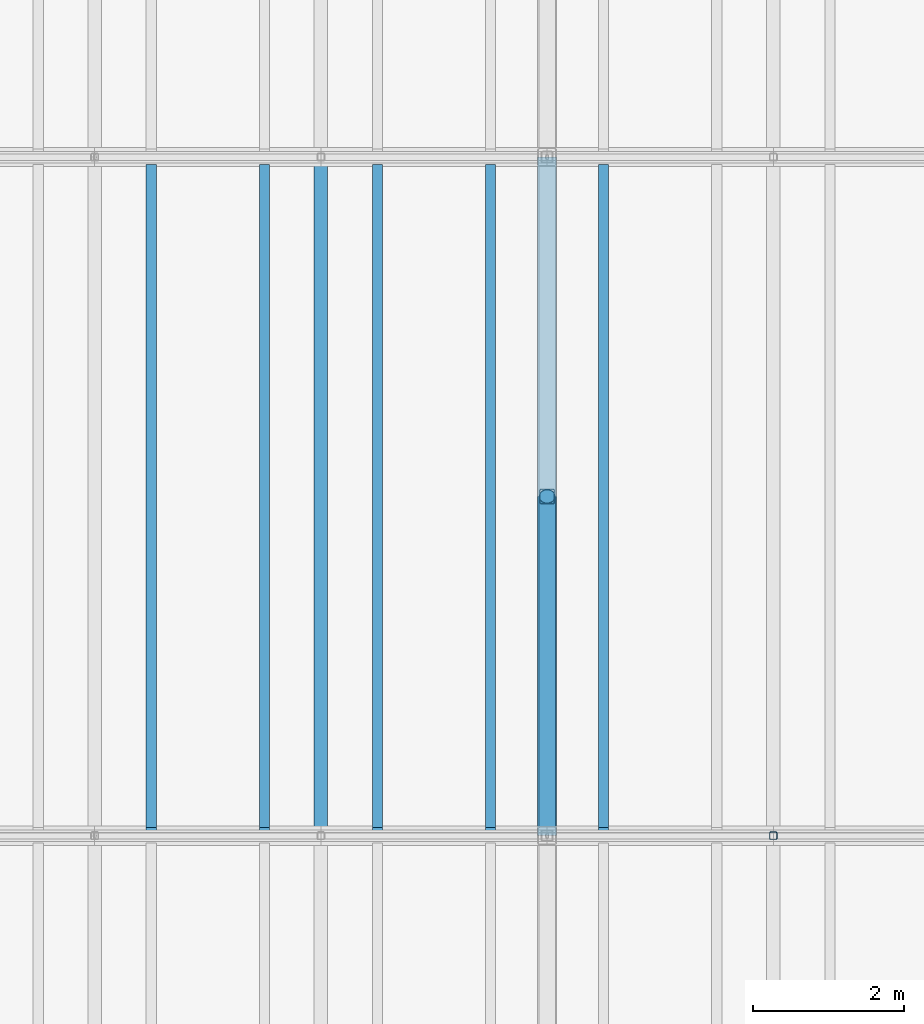
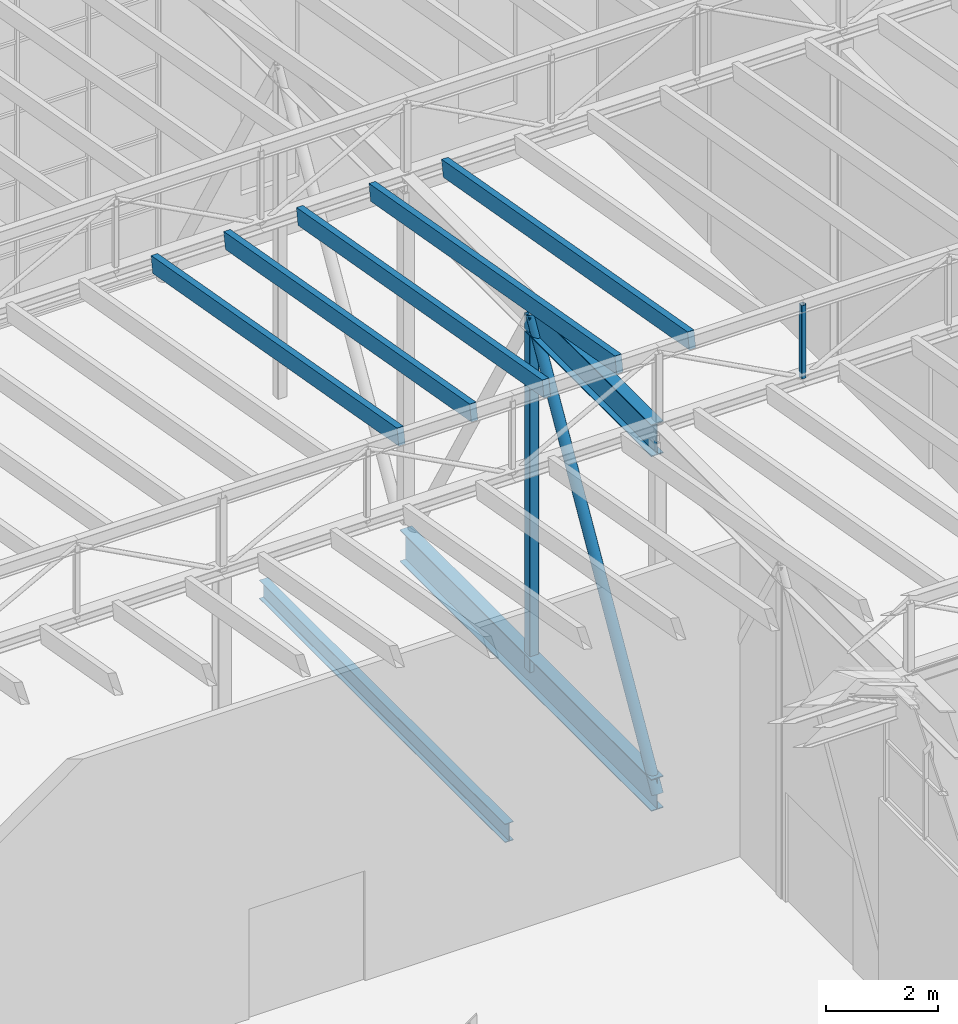
# One storey, part 35 of 90: 10 members, 1 beam.
"""IFC4 building model written with IfcOpenShell, lengths in metres."""

from ifc_helpers import new_model, si_unit, direction, frame, origin, origin_2d, place, context, subcontext, project, spatial, rectangle, hollow_rectangle, hollow_circle, i_section, extrude, material, material_profile, profile_set, type_object, element, save


model = new_model("IFC4")

# Units and contexts
model_context = context("Model", 3, precision=1e-05, world=origin(), true_north=direction((0.0, 1.0)))
body_context = subcontext(model_context, "Body", "Model", "MODEL_VIEW")
ifc_project = project(units=[si_unit("LENGTHUNIT", "METRE"), si_unit("AREAUNIT", "SQUARE_METRE"), si_unit("VOLUMEUNIT", "CUBIC_METRE"), si_unit("PLANEANGLEUNIT", "RADIAN"), si_unit("MASSUNIT", "GRAM", prefix="KILO")], contexts=[model_context])

# Site, building, storey
site_placement = place(None, origin())
site = spatial("IfcSite", under=ifc_project, at=site_placement, CompositionType="ELEMENT")
building_placement = place(site_placement, origin())
building = spatial("IfcBuilding", under=site, at=building_placement, Name="Halyard Row Museum", CompositionType="ELEMENT")
storey_placement = place(building_placement, frame((0.0, 0.0, 13.39990234375)))
storey = spatial("IfcBuildingStorey", under=building, at=storey_placement, Name="L03", CompositionType="ELEMENT", Elevation=13.39990234375)

# Members
ifc_material_1 = material(Name="Glulam GL12 radiata pine", Category="wood")
ifc_material_profile_1 = material_profile(ifc_material_1, rectangle(XDim=0.135009765625, YDim=0.360107421875, at=origin_2d()), Name="GL12 135x360")
ifc_profile_set_1 = profile_set([ifc_material_profile_1], Name="Glulam GL12 radiata pine")
member_type_1 = type_object("IfcMemberType", Name="Rafter GL12 135x360", PredefinedType="RAFTER", material=ifc_profile_set_1)
for number, where, z_axis, x_axis, name in (
    (1, (48.75, 27.074462890625, 9.083984375), (0.0, 0.984562193919, -0.175035100209), (-1.0, 0.0, 0.0), "Rafter V1-T2a.15"),
    (2, (50.25, 27.074462890625, 9.083984375), (0.0, 0.984562193919, -0.175035100209), (-1.0, 0.0, 0.0), "Rafter V1-T2a.16"),
    (3, (51.75, 27.074462890625, 9.083984375), (0.0, 0.984562193919, -0.175035100209), (-1.0, 0.0, 0.0), "Rafter V1-T2a.17"),
    (4, (53.25, 27.074462890625, 9.083984375), (0.0, 0.984562193919, -0.175035100209), (-1.0, 0.0, 0.0), "Rafter V1-T2a.18"),
    (5, (54.75, 27.074462890625, 9.083984375), (0.0, 0.984562193919, -0.175035100209), (-1.0, 0.0, 0.0), "Rafter V1-T2a.19"),
):
    element("IfcMember", number, at=place(storey_placement, frame(where, z_axis=z_axis, x_axis=x_axis)), inside=storey, type_object=member_type_1, Name=name, PredefinedType="RAFTER", context=body_context, shape_type="SweptSolid", body=[
        extrude(rectangle(XDim=0.135009765625, YDim=0.360107421875, at=origin_2d()), origin(), (0.0, 0.0, 1.0), 8.9365234375),
    ])

# Beam
ifc_material_2 = material(Name="Steel Grade 300", Category="steel")
ifc_material_profile_2 = material_profile(ifc_material_2, i_section(OverallWidth=0.177978515625, OverallDepth=0.406494140625, WebThickness=0.0078125, FlangeThickness=0.0126953125, FilletRadius=0.011474609375, at=origin_2d()), Name="410UB59.7")
ifc_profile_set_2 = profile_set([ifc_material_profile_2], Name="Steel Grade 300")
beam_type = type_object("IfcBeamType", Name="Secondary beam 410UB59.7", PredefinedType="BEAM", material=ifc_profile_set_2)
beam_placement = place(storey_placement, frame((51.0, 27.1044921875, -0.3681640625), z_axis=(0.0, 1.0, 0.0), x_axis=(-1.0, 0.0, 0.0)))
element("IfcBeam", 6, at=beam_placement, inside=storey, type_object=beam_type, Name="Beam L03-104", PredefinedType="BEAM", context=body_context, shape_type="SweptSolid", body=[
    extrude(i_section(OverallWidth=0.177978515625, OverallDepth=0.406494140625, WebThickness=0.0078125, FlangeThickness=0.0126953125, FilletRadius=0.011474609375, at=origin_2d()), origin(), (0.0, 0.0, 1.0), 8.791015625),
])

# Members
ifc_material_3 = material(Name="Steel Grade 300", Category="steel")
ifc_material_profile_3 = material_profile(ifc_material_3, i_section(OverallWidth=0.25, OverallDepth=0.699951171875, WebThickness=0.010009765625, FlangeThickness=0.02001953125, at=origin_2d()), Name="700WB130")
ifc_profile_set_3 = profile_set([ifc_material_profile_3], Name="Steel Grade 300")
member_type_2 = type_object("IfcMemberType", Name="Transfer truss chord 700WB130 bottom", PredefinedType="CHORD", material=ifc_profile_set_3)
member_1_placement = place(storey_placement, frame((54.0, 27.0, -0.514892578125), z_axis=(0.0, 1.0, 0.0), x_axis=(-1.0, 0.0, 0.0)))
element("IfcMember", 7, at=member_1_placement, inside=storey, type_object=member_type_2, Name="TT2 bottom chord 7", PredefinedType="CHORD", context=body_context, shape_type="SweptSolid", body=[
    extrude(i_section(OverallWidth=0.25, OverallDepth=0.699951171875, WebThickness=0.010009765625, FlangeThickness=0.02001953125, at=origin_2d()), origin(), (0.0, 0.0, 1.0), 9.0),
])
ifc_material_4 = material(Name="Steel Grade 300", Category="steel")
ifc_material_profile_4 = material_profile(ifc_material_4, i_section(OverallWidth=0.25, OverallDepth=0.699951171875, WebThickness=0.010009765625, FlangeThickness=0.02001953125, at=origin_2d()), Name="700WB130")
ifc_profile_set_4 = profile_set([ifc_material_profile_4], Name="Steel Grade 300")
member_type_3 = type_object("IfcMemberType", Name="Transfer truss chord 700WB130 top", PredefinedType="CHORD", material=ifc_profile_set_4)
member_2_placement = place(storey_placement, frame((54.0, 27.0, 7.22998046875), z_axis=(0.0, 1.0, 0.0), x_axis=(-1.0, 0.0, 0.0)))
element("IfcMember", 8, at=member_2_placement, inside=storey, type_object=member_type_3, Name="TT2 top chord 7", PredefinedType="CHORD", context=body_context, shape_type="SweptSolid", body=[
    extrude(i_section(OverallWidth=0.25, OverallDepth=0.699951171875, WebThickness=0.010009765625, FlangeThickness=0.02001953125, at=origin_2d()), origin(), (0.0, 0.0, 1.0), 4.5),
])
ifc_material_5 = material(Name="Steel Grade C350L0", Category="steel")
ifc_material_profile_5 = material_profile(ifc_material_5, hollow_circle(Radius=0.109619140625, WallThickness=0.00830078125, at=origin_2d()), Name="219.1x8.2CHS")
ifc_profile_set_5 = profile_set([ifc_material_profile_5], Name="Steel Grade C350L0")
member_type_4 = type_object("IfcMemberType", Name="Transfer truss diagonal 219.1x8.2CHS", PredefinedType="BRACE", material=ifc_profile_set_5)
member_3_placement = place(storey_placement, frame((54.0, 27.0, -0.514892578125), z_axis=(0.0, 0.502384046634, 0.864644591545), x_axis=(-1.0, 0.0, 0.0)))
element("IfcMember", 9, at=member_3_placement, inside=storey, type_object=member_type_4, Name="TT2 diagonal 7", PredefinedType="BRACE", context=body_context, shape_type="SweptSolid", body=[
    extrude(hollow_circle(Radius=0.109619140625, WallThickness=0.00830078125, at=origin_2d()), origin(), (0.0, 0.0, 1.0), 8.957275390625),
])
ifc_material_6 = material(Name="Steel Grade C350L0", Category="steel")
ifc_material_profile_6 = material_profile(ifc_material_6, hollow_rectangle(XDim=0.199951171875, YDim=0.199951171875, WallThickness=0.009033203125, InnerFilletRadius=0.013427734375, OuterFilletRadius=0.0224609375, at=origin_2d()), Name="200x200x9.0SHS")
ifc_profile_set_6 = profile_set([ifc_material_profile_6], Name="Steel Grade C350L0")
member_type_5 = type_object("IfcMemberType", Name="Transfer truss post 200x200x9.0SHS", PredefinedType="POST", material=ifc_profile_set_6)
member_4_placement = place(storey_placement, frame((54.0, 31.5, -0.514892578125), z_axis=(0.0, 0.0, 1.0), x_axis=(1.0, 0.0, 0.0)))
element("IfcMember", 10, at=member_4_placement, inside=storey, type_object=member_type_5, Name="TT2 post 8", PredefinedType="POST", context=body_context, shape_type="SweptSolid", body=[
    extrude(hollow_rectangle(XDim=0.199951171875, YDim=0.199951171875, WallThickness=0.009033203125, InnerFilletRadius=0.013427734375, OuterFilletRadius=0.0224609375, at=origin_2d()), origin(), (0.0, 0.0, 1.0), 7.744873046875),
])
ifc_material_7 = material(Name="Steel Grade C350L0", Category="steel")
ifc_material_profile_7 = material_profile(ifc_material_7, hollow_rectangle(XDim=0.10009765625, YDim=0.10009765625, WallThickness=0.006103515625, InnerFilletRadius=0.009033203125, OuterFilletRadius=0.014892578125, at=origin_2d()), Name="100x100x6.0SHS")
ifc_profile_set_7 = profile_set([ifc_material_profile_7], Name="Steel Grade C350L0")
member_type_6 = type_object("IfcMemberType", Name="Valley truss post 100x100x6.0SHS", PredefinedType="POST", material=ifc_profile_set_7)
member_5_placement = place(storey_placement, frame((57.0, 27.0, 7.527099609375), z_axis=(0.0, 0.0, 1.0), x_axis=(1.0, 0.0, 0.0)))
element("IfcMember", 11, at=member_5_placement, inside=storey, type_object=member_type_6, Name="V1-VT2 post 4.1", PredefinedType="POST", context=body_context, shape_type="SweptSolid", body=[
    extrude(hollow_rectangle(XDim=0.10009765625, YDim=0.10009765625, WallThickness=0.006103515625, InnerFilletRadius=0.009033203125, OuterFilletRadius=0.014892578125, at=origin_2d()), origin(), (0.0, 0.0, 1.0), 1.60400390625),
])

save(model, "model.ifc")
